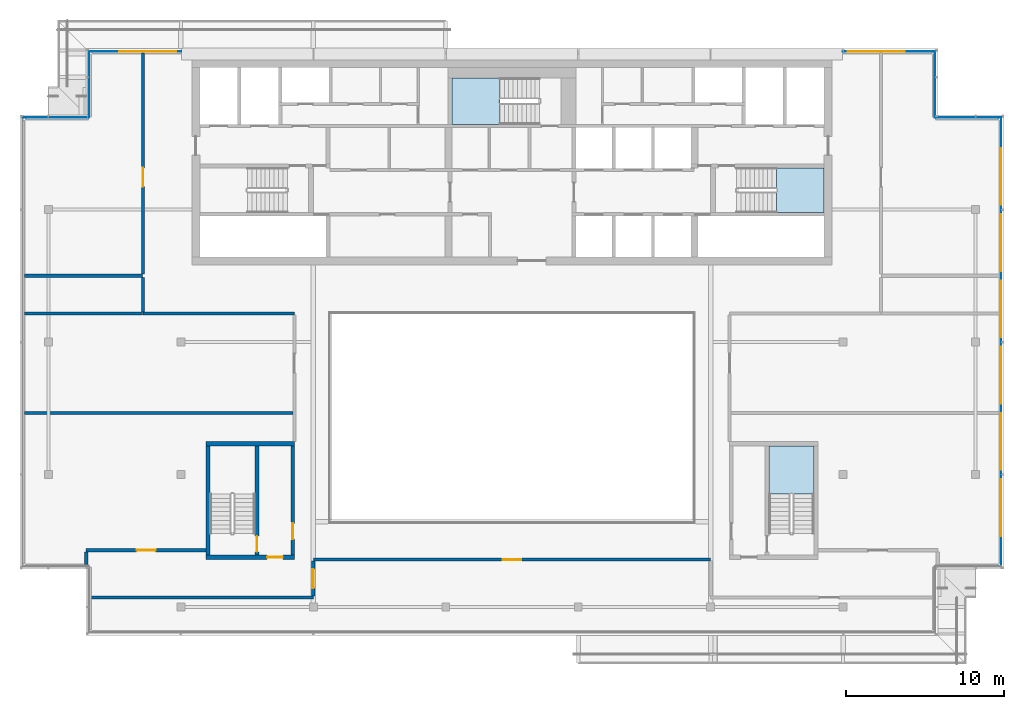
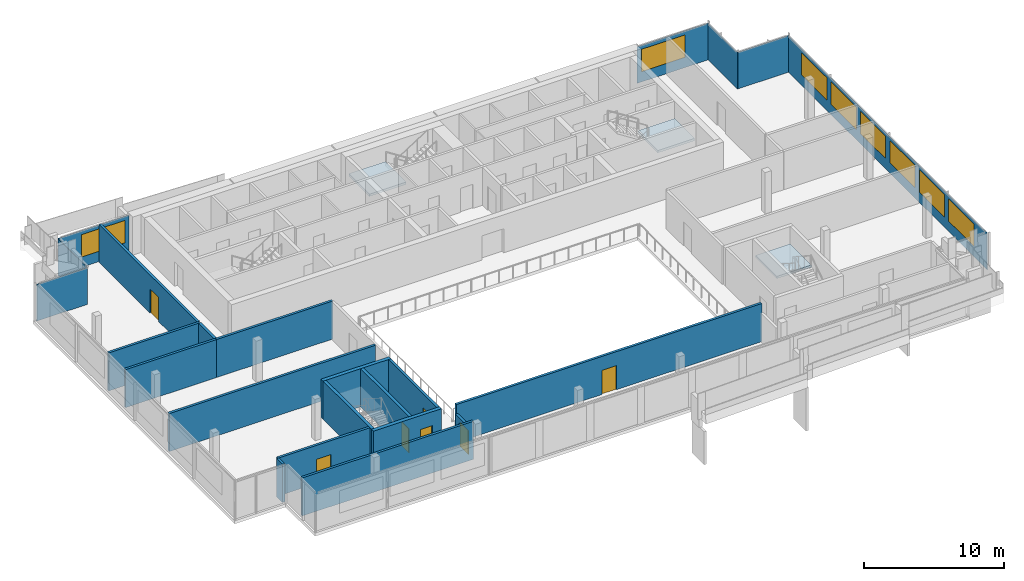
# One storey, part 11 of 21: 16 walls, 8 windows, 7 doors, 7 plates, 3 slabs, 15 openings, 9 elements without a shape of their own.
"""IFC4 building model written with IfcOpenShell, lengths in metres."""

from ifc_helpers import new_model, si_unit, direction, frame, frame_2d, origin, place, context, subcontext, project, spatial, polyline, rectangle, outline, extrude, material, layer, layer_set, type_object, element, fill, aggregate, save


model = new_model("IFC4")

# Units and contexts
model_context = context("Model", 3, precision=1e-05, world=origin(), true_north=direction((0.0, 1.0)))
body_context = subcontext(model_context, "Body", "Model", "MODEL_VIEW")
ifc_project = project(units=[si_unit("LENGTHUNIT", "METRE"), si_unit("AREAUNIT", "SQUARE_METRE"), si_unit("VOLUMEUNIT", "CUBIC_METRE"), si_unit("PLANEANGLEUNIT", "RADIAN"), si_unit("MASSUNIT", "GRAM", prefix="KILO")], contexts=[model_context])

# Site, building, storey
site_placement = place(None, origin())
site = spatial("IfcSite", under=ifc_project, at=site_placement, CompositionType="ELEMENT")
building_placement = place(site_placement, origin())
building = spatial("IfcBuilding", under=site, at=building_placement, Name="Saffron Gate Tower", CompositionType="ELEMENT")
storey_placement = place(building_placement, frame((0.0, 0.0, 299.550048828125)))
storey = spatial("IfcBuildingStorey", under=building, at=storey_placement, Name="L73", CompositionType="ELEMENT", Elevation=299.550048828125)

# Curtain wall, plate, openings, windows
ifc_material_1 = material(Name="Aluminium, bronze anodised", Category="aluminium")
curtain_wall_type_1 = type_object("IfcCurtainWallType", Name="CWS2 curtain wall side facades", PredefinedType="NOTDEFINED", material=ifc_material_1)
curtain_wall_1_placement = place(storey_placement, origin())
curtain_wall_1 = element("IfcCurtainWall", 1, at=curtain_wall_1_placement, inside=storey, type_object=curtain_wall_type_1, Name="CWS2 run 4", PredefinedType="NOTDEFINED")
ifc_material_2 = material(Name="Fritted bronze-tinted laminated glass", Category="glass")
ifc_layer_1 = layer(ifc_material_2, 0.028076171875)
ifc_layer_set_1 = layer_set([ifc_layer_1], Name="CWS2 fixed glass")
plate_type_1 = type_object("IfcPlateType", Name="CWS2 fixed glass", PredefinedType="CURTAIN_PANEL", material=ifc_layer_set_1)
plate_1_placement = place(storey_placement, frame((118.6259765625, 42.7880859375, 0.0), z_axis=(0.0, 0.0, 1.0), x_axis=(0.0, 1.0, 0.0)))
plate_1 = element("IfcPlate", 2, at=plate_1_placement, type_object=plate_type_1, Name="CWS2 glass panel", PredefinedType="CURTAIN_PANEL", context=body_context, shape_type="SweptSolid", body=[
    extrude(rectangle(XDim=28.423828125, YDim=0.028076171875, at=frame_2d((14.2119140625, 0.0))), origin(), (0.0, 0.0, 1.0), 3.199951171875),
])
opening_1_placement = place(plate_1_placement, frame((1.912109375, 0.0, 0.89990234375)))
opening_1 = element("IfcOpeningElement", 3, at=opening_1_placement, cuts=plate_1, Name="Opening W1", PredefinedType="OPENING", context=body_context, shape_type="SweptSolid", body=[
    extrude(rectangle(XDim=3.60009765625, YDim=1.949951171875, at=frame_2d((1.800048828125, 0.97509765625))), frame((0.0, 0.02392578125, 0.0), z_axis=(0.0, -1.0, 0.0), x_axis=(1.0, 0.0, 0.0)), (0.0, 0.0, 1.0), 0.048095703125),
])
opening_2_placement = place(plate_1_placement, frame((6.112060546875, 0.0, 0.89990234375)))
opening_2 = element("IfcOpeningElement", 4, at=opening_2_placement, cuts=plate_1, Name="Opening W1", PredefinedType="OPENING", context=body_context, shape_type="SweptSolid", body=[
    extrude(rectangle(XDim=3.60009765625, YDim=1.949951171875, at=frame_2d((1.800048828125, 0.97509765625))), frame((0.0, 0.02392578125, 0.0), z_axis=(0.0, -1.0, 0.0), x_axis=(1.0, 0.0, 0.0)), (0.0, 0.0, 1.0), 0.048095703125),
])
opening_3_placement = place(plate_1_placement, frame((10.31201171875, 0.0, 0.89990234375)))
opening_3 = element("IfcOpeningElement", 5, at=opening_3_placement, cuts=plate_1, Name="Opening W1", PredefinedType="OPENING", context=body_context, shape_type="SweptSolid", body=[
    extrude(rectangle(XDim=3.60009765625, YDim=1.949951171875, at=frame_2d((1.800048828125, 0.97509765625))), frame((0.0, 0.02392578125, 0.0), z_axis=(0.0, -1.0, 0.0), x_axis=(1.0, 0.0, 0.0)), (0.0, 0.0, 1.0), 0.048095703125),
])
opening_4_placement = place(plate_1_placement, frame((14.511962890625, 0.0, 0.89990234375)))
opening_4 = element("IfcOpeningElement", 6, at=opening_4_placement, cuts=plate_1, Name="Opening W1", PredefinedType="OPENING", context=body_context, shape_type="SweptSolid", body=[
    extrude(rectangle(XDim=3.60009765625, YDim=1.949951171875, at=frame_2d((1.800048828125, 0.97509765625))), frame((0.0, 0.02392578125, 0.0), z_axis=(0.0, -1.0, 0.0), x_axis=(1.0, 0.0, 0.0)), (0.0, 0.0, 1.0), 0.048095703125),
])
opening_5_placement = place(plate_1_placement, frame((18.7119140625, 0.0, 0.89990234375)))
opening_5 = element("IfcOpeningElement", 7, at=opening_5_placement, cuts=plate_1, Name="Opening W1", PredefinedType="OPENING", context=body_context, shape_type="SweptSolid", body=[
    extrude(rectangle(XDim=3.60009765625, YDim=1.949951171875, at=frame_2d((1.800048828125, 0.97509765625))), frame((0.0, 0.02392578125, 0.0), z_axis=(0.0, -1.0, 0.0), x_axis=(1.0, 0.0, 0.0)), (0.0, 0.0, 1.0), 0.048095703125),
])
opening_6_placement = place(plate_1_placement, frame((22.912109375, 0.0, 0.89990234375)))
opening_6 = element("IfcOpeningElement", 8, at=opening_6_placement, cuts=plate_1, Name="Opening W1", PredefinedType="OPENING", context=body_context, shape_type="SweptSolid", body=[
    extrude(rectangle(XDim=3.60009765625, YDim=1.949951171875, at=frame_2d((1.800048828125, 0.97509765625))), frame((0.0, 0.02392578125, 0.0), z_axis=(0.0, -1.0, 0.0), x_axis=(1.0, 0.0, 0.0)), (0.0, 0.0, 1.0), 0.048095703125),
])
ifc_material_3 = material(Name="Fritted bronze-tinted laminated glass in bronze frame", Category="glass")
ifc_layer_2 = layer(ifc_material_3, 0.06005859375)
ifc_layer_set_2 = layer_set([ifc_layer_2], Name="W1 operable panel 3600x1950")
window_type = type_object("IfcWindowType", Name="W1 operable panel 3600x1950", PartitioningType="DOUBLE_PANEL_HORIZONTAL", PredefinedType="WINDOW", material=ifc_layer_set_2)
window_1_placement = place(opening_1_placement, origin())
window_1 = element("IfcWindow", 9, at=window_1_placement, type_object=window_type, Name="W1 operable panel", OverallHeight=1.949951171875, OverallWidth=3.60009765625, PartitioningType="SINGLE_PANEL", PredefinedType="WINDOW", context=body_context, shape_type="SweptSolid", body=[
    extrude(rectangle(XDim=3.60009765625, YDim=1.949951171875, at=frame_2d((1.800048828125, 0.97509765625))), frame((0.0, 0.013671875, 0.0), z_axis=(0.0, -1.0, 0.0), x_axis=(1.0, 0.0, 0.0)), (0.0, 0.0, 1.0), 0.027587890625),
])
fill(opening_1, window_1)
window_2_placement = place(opening_2_placement, origin())
window_2 = element("IfcWindow", 10, at=window_2_placement, type_object=window_type, Name="W1 operable panel", OverallHeight=1.949951171875, OverallWidth=3.60009765625, PartitioningType="SINGLE_PANEL", PredefinedType="WINDOW", context=body_context, shape_type="SweptSolid", body=[
    extrude(rectangle(XDim=3.60009765625, YDim=1.949951171875, at=frame_2d((1.800048828125, 0.97509765625))), frame((0.0, 0.013671875, 0.0), z_axis=(0.0, -1.0, 0.0), x_axis=(1.0, 0.0, 0.0)), (0.0, 0.0, 1.0), 0.027587890625),
])
fill(opening_2, window_2)
window_3_placement = place(opening_3_placement, origin())
window_3 = element("IfcWindow", 11, at=window_3_placement, type_object=window_type, Name="W1 operable panel", OverallHeight=1.949951171875, OverallWidth=3.60009765625, PartitioningType="SINGLE_PANEL", PredefinedType="WINDOW", context=body_context, shape_type="SweptSolid", body=[
    extrude(rectangle(XDim=3.60009765625, YDim=1.949951171875, at=frame_2d((1.800048828125, 0.97509765625))), frame((0.0, 0.013671875, 0.0), z_axis=(0.0, -1.0, 0.0), x_axis=(1.0, 0.0, 0.0)), (0.0, 0.0, 1.0), 0.027587890625),
])
fill(opening_3, window_3)
window_4_placement = place(opening_4_placement, origin())
window_4 = element("IfcWindow", 12, at=window_4_placement, type_object=window_type, Name="W1 operable panel", OverallHeight=1.949951171875, OverallWidth=3.60009765625, PartitioningType="SINGLE_PANEL", PredefinedType="WINDOW", context=body_context, shape_type="SweptSolid", body=[
    extrude(rectangle(XDim=3.60009765625, YDim=1.949951171875, at=frame_2d((1.800048828125, 0.97509765625))), frame((0.0, 0.013671875, 0.0), z_axis=(0.0, -1.0, 0.0), x_axis=(1.0, 0.0, 0.0)), (0.0, 0.0, 1.0), 0.027587890625),
])
fill(opening_4, window_4)
window_5_placement = place(opening_5_placement, origin())
window_5 = element("IfcWindow", 13, at=window_5_placement, type_object=window_type, Name="W1 operable panel", OverallHeight=1.949951171875, OverallWidth=3.60009765625, PartitioningType="SINGLE_PANEL", PredefinedType="WINDOW", context=body_context, shape_type="SweptSolid", body=[
    extrude(rectangle(XDim=3.60009765625, YDim=1.949951171875, at=frame_2d((1.800048828125, 0.97509765625))), frame((0.0, 0.013671875, 0.0), z_axis=(0.0, -1.0, 0.0), x_axis=(1.0, 0.0, 0.0)), (0.0, 0.0, 1.0), 0.027587890625),
])
fill(opening_5, window_5)
window_6_placement = place(opening_6_placement, origin())
window_6 = element("IfcWindow", 14, at=window_6_placement, type_object=window_type, Name="W1 operable panel", OverallHeight=1.949951171875, OverallWidth=3.60009765625, PartitioningType="SINGLE_PANEL", PredefinedType="WINDOW", context=body_context, shape_type="SweptSolid", body=[
    extrude(rectangle(XDim=3.60009765625, YDim=1.949951171875, at=frame_2d((1.800048828125, 0.97509765625))), frame((0.0, 0.013671875, 0.0), z_axis=(0.0, -1.0, 0.0), x_axis=(1.0, 0.0, 0.0)), (0.0, 0.0, 1.0), 0.027587890625),
])
fill(opening_6, window_6)
aggregate(curtain_wall_1, [plate_1, window_1, window_2, window_3, window_4, window_5, window_6])

# Curtain wall, plates, openings, windows
curtain_wall_type_2 = type_object("IfcCurtainWallType", Name="CWS3 curtain wall rear facade", PredefinedType="NOTDEFINED", material=ifc_material_1)
curtain_wall_2_placement = place(storey_placement, origin())
curtain_wall_2 = element("IfcCurtainWall", 15, at=curtain_wall_2_placement, inside=storey, type_object=curtain_wall_type_2, Name="CWS3 run 7", PredefinedType="NOTDEFINED")
ifc_material_4 = material(Name="Fritted grey-tinted laminated glass", Category="glass")
ifc_layer_3 = layer(ifc_material_4, 0.028076171875)
ifc_layer_set_3 = layer_set([ifc_layer_3], Name="CWS3 fixed glass")
plate_type_2 = type_object("IfcPlateType", Name="CWS3 fixed glass", PredefinedType="CURTAIN_PANEL", material=ifc_layer_set_3)
plate_2_placement = place(storey_placement, frame((114.412109375, 75.426025390625, 0.0), z_axis=(0.0, 0.0, 1.0), x_axis=(-1.0, 0.0, 0.0)))
plate_2 = element("IfcPlate", 16, at=plate_2_placement, type_object=plate_type_2, Name="CWS3 glass panel", PredefinedType="CURTAIN_PANEL", context=body_context, shape_type="SweptSolid", body=[
    extrude(rectangle(XDim=5.84716796875, YDim=0.028076171875, at=frame_2d((2.923583984375, 0.0))), origin(), (0.0, 0.0, 1.0), 3.199951171875),
])
opening_7_placement = place(plate_2_placement, frame((1.912109375, 0.0, 0.89990234375)))
opening_7 = element("IfcOpeningElement", 17, at=opening_7_placement, cuts=plate_2, Name="Opening W1", PredefinedType="OPENING", context=body_context, shape_type="SweptSolid", body=[
    extrude(rectangle(XDim=3.60009765625, YDim=1.949951171875, at=frame_2d((1.800048828125, 0.97509765625))), frame((0.0, 0.02392578125, 0.0), z_axis=(0.0, -1.0, 0.0), x_axis=(1.0, 0.0, 0.0)), (0.0, 0.0, 1.0), 0.048095703125),
])
window_7_placement = place(opening_7_placement, origin())
window_7 = element("IfcWindow", 18, at=window_7_placement, type_object=window_type, Name="W1 operable panel", OverallHeight=1.949951171875, OverallWidth=3.60009765625, PartitioningType="SINGLE_PANEL", PredefinedType="WINDOW", context=body_context, shape_type="SweptSolid", body=[
    extrude(rectangle(XDim=3.60009765625, YDim=1.949951171875, at=frame_2d((1.800048828125, 0.97509765625))), frame((0.0, 0.013671875, 0.0), z_axis=(0.0, -1.0, 0.0), x_axis=(1.0, 0.0, 0.0)), (0.0, 0.0, 1.0), 0.027587890625),
])
fill(opening_7, window_7)
plate_3_placement = place(storey_placement, frame((66.635009765625, 75.426025390625, 0.0), z_axis=(0.0, 0.0, 1.0), x_axis=(-1.0, 0.0, 0.0)))
plate_3 = element("IfcPlate", 19, at=plate_3_placement, type_object=plate_type_2, Name="CWS3 glass panel", PredefinedType="CURTAIN_PANEL", context=body_context, shape_type="SweptSolid", body=[
    extrude(rectangle(XDim=5.846923828125, YDim=0.028076171875, at=frame_2d((2.92333984375, 0.0))), origin(), (0.0, 0.0, 1.0), 3.199951171875),
])
opening_8_placement = place(plate_3_placement, frame((0.3349609375, 0.0, 0.89990234375)))
opening_8 = element("IfcOpeningElement", 20, at=opening_8_placement, cuts=plate_3, Name="Opening W1", PredefinedType="OPENING", context=body_context, shape_type="SweptSolid", body=[
    extrude(rectangle(XDim=3.60009765625, YDim=1.949951171875, at=frame_2d((1.800048828125, 0.97509765625))), frame((0.0, 0.02392578125, 0.0), z_axis=(0.0, -1.0, 0.0), x_axis=(1.0, 0.0, 0.0)), (0.0, 0.0, 1.0), 0.048095703125),
])
window_8_placement = place(opening_8_placement, origin())
window_8 = element("IfcWindow", 21, at=window_8_placement, type_object=window_type, Name="W1 operable panel", OverallHeight=1.949951171875, OverallWidth=3.60009765625, PartitioningType="SINGLE_PANEL", PredefinedType="WINDOW", context=body_context, shape_type="SweptSolid", body=[
    extrude(rectangle(XDim=3.60009765625, YDim=1.949951171875, at=frame_2d((1.800048828125, 0.97509765625))), frame((0.0, 0.013671875, 0.0), z_axis=(0.0, -1.0, 0.0), x_axis=(1.0, 0.0, 0.0)), (0.0, 0.0, 1.0), 0.027587890625),
])
fill(opening_8, window_8)
aggregate(curtain_wall_2, [plate_2, plate_3, window_7, window_8])

# Curtain wall, plate
curtain_wall_type_3 = type_object("IfcCurtainWallType", Name="CWS4 curtain wall corner returns", PredefinedType="NOTDEFINED", material=ifc_material_1)
curtain_wall_3_placement = place(storey_placement, origin())
curtain_wall_3 = element("IfcCurtainWall", 22, at=curtain_wall_3_placement, inside=storey, type_object=curtain_wall_type_3, Name="CWS4 run 5", PredefinedType="NOTDEFINED")
ifc_layer_4 = layer(ifc_material_2, 0.028076171875)
ifc_layer_set_4 = layer_set([ifc_layer_4], Name="CWS4 fixed glass")
plate_type_3 = type_object("IfcPlateType", Name="CWS4 fixed glass", PredefinedType="CURTAIN_PANEL", material=ifc_layer_set_4)
plate_4_placement = place(storey_placement, frame((118.612060546875, 71.22607421875, 0.0), z_axis=(0.0, 0.0, 1.0), x_axis=(-1.0, 0.0, 0.0)))
plate_4 = element("IfcPlate", 23, at=plate_4_placement, type_object=plate_type_3, Name="CWS4 glass panel", PredefinedType="CURTAIN_PANEL", context=body_context, shape_type="SweptSolid", body=[
    extrude(rectangle(XDim=4.172119140625, YDim=0.028076171875, at=frame_2d((2.0859375, 0.0))), origin(), (0.0, 0.0, 1.0), 3.199951171875),
])
aggregate(curtain_wall_3, [plate_4])

curtain_wall_4_placement = place(storey_placement, origin())
curtain_wall_4 = element("IfcCurtainWall", 24, at=curtain_wall_4_placement, inside=storey, type_object=curtain_wall_type_3, Name="CWS4 run 6", PredefinedType="NOTDEFINED")
plate_5_placement = place(storey_placement, frame((114.426025390625, 71.239990234375, 0.0), z_axis=(0.0, 0.0, 1.0), x_axis=(0.0, 1.0, 0.0)))
plate_5 = element("IfcPlate", 25, at=plate_5_placement, type_object=plate_type_3, Name="CWS4 glass panel", PredefinedType="CURTAIN_PANEL", context=body_context, shape_type="SweptSolid", body=[
    extrude(rectangle(XDim=4.172119140625, YDim=0.028076171875, at=frame_2d((2.0859375, 0.0))), origin(), (0.0, 0.0, 1.0), 3.199951171875),
])
aggregate(curtain_wall_4, [plate_5])

curtain_wall_5_placement = place(storey_placement, origin())
curtain_wall_5 = element("IfcCurtainWall", 26, at=curtain_wall_5_placement, inside=storey, type_object=curtain_wall_type_3, Name="CWS4 run 8", PredefinedType="NOTDEFINED")
plate_6_placement = place(storey_placement, frame((60.77392578125, 75.412109375, 0.0), z_axis=(0.0, 0.0, 1.0), x_axis=(0.0, -1.0, 0.0)))
plate_6 = element("IfcPlate", 27, at=plate_6_placement, type_object=plate_type_3, Name="CWS4 glass panel", PredefinedType="CURTAIN_PANEL", context=body_context, shape_type="SweptSolid", body=[
    extrude(rectangle(XDim=4.172119140625, YDim=0.028076171875, at=frame_2d((2.0859375, 0.0))), origin(), (0.0, 0.0, 1.0), 3.199951171875),
])
aggregate(curtain_wall_5, [plate_6])

curtain_wall_6_placement = place(storey_placement, origin())
curtain_wall_6 = element("IfcCurtainWall", 28, at=curtain_wall_6_placement, inside=storey, type_object=curtain_wall_type_3, Name="CWS4 run 9", PredefinedType="NOTDEFINED")
plate_7_placement = place(storey_placement, frame((60.760009765625, 71.22607421875, 0.0), z_axis=(0.0, 0.0, 1.0), x_axis=(-1.0, 0.0, 0.0)))
plate_7 = element("IfcPlate", 29, at=plate_7_placement, type_object=plate_type_3, Name="CWS4 glass panel", PredefinedType="CURTAIN_PANEL", context=body_context, shape_type="SweptSolid", body=[
    extrude(rectangle(XDim=4.172119140625, YDim=0.028076171875, at=frame_2d((2.0859375, 0.0))), origin(), (0.0, 0.0, 1.0), 3.199951171875),
])
aggregate(curtain_wall_6, [plate_7])

# Stair, slab
ifc_material_5 = material(Name="Concrete C40", Category="concrete")
stair_type = type_object("IfcStairType", Name="ST7 Stair 1350 wide, 20 risers of 180", PredefinedType="HALF_TURN_STAIR", material=ifc_material_5)
stair_1_placement = place(storey_placement, origin())
stair_1 = element("IfcStair", 30, at=stair_1_placement, inside=storey, type_object=stair_type, Name="L73 Exit stair B", PredefinedType="HALF_TURN_STAIR")
ifc_layer_5 = layer(ifc_material_5, 0.199951171875)
ifc_layer_set_5 = layer_set([ifc_layer_5], Name="SL1 Stair landing 200")
slab_type = type_object("IfcSlabType", Name="SL1 Stair landing 200", PredefinedType="LANDING", material=ifc_layer_set_5)
slab_1_placement = place(storey_placement, frame((0.0, 0.0, 1.599853515625)))
slab_1 = element("IfcSlab", 31, at=slab_1_placement, type_object=slab_type, Name="ST-B landing 1", PredefinedType="LANDING", context=body_context, shape_type="SweptSolid", body=[
    extrude(outline(polyline([(104.3701171875, 65.199951171875), (107.39990234375, 65.199951171875), (107.39990234375, 68.050048828125), (104.3701171875, 68.050048828125), (104.3701171875, 65.199951171875)])), origin(), (0.0, 0.0, 1.0), 0.2001953125),
])
aggregate(stair_1, [slab_1])

stair_2_placement = place(storey_placement, origin())
stair_2 = element("IfcStair", 32, at=stair_2_placement, inside=storey, type_object=stair_type, Name="L73 Exit stair C", PredefinedType="HALF_TURN_STAIR")
slab_2_placement = place(storey_placement, frame((0.0, 0.0, 1.599853515625)))
slab_2 = element("IfcSlab", 33, at=slab_2_placement, type_object=slab_type, Name="ST-C landing 1", PredefinedType="LANDING", context=body_context, shape_type="SweptSolid", body=[
    extrude(outline(polyline([(86.830078125, 73.75), (83.800048828125, 73.75), (83.800048828125, 70.800048828125), (86.830078125, 70.800048828125), (86.830078125, 73.75)])), origin(), (0.0, 0.0, 1.0), 0.2001953125),
])
aggregate(stair_2, [slab_2])

stair_3_placement = place(storey_placement, origin())
stair_3 = element("IfcStair", 34, at=stair_3_placement, inside=storey, type_object=stair_type, Name="L73 Exit stair E", PredefinedType="HALF_TURN_STAIR")
slab_3_placement = place(storey_placement, frame((0.0, 0.0, 1.599853515625)))
slab_3 = element("IfcSlab", 35, at=slab_3_placement, type_object=slab_type, Name="ST-E landing 1", PredefinedType="LANDING", context=body_context, shape_type="SweptSolid", body=[
    extrude(outline(polyline([(106.75, 47.3701171875), (106.75, 50.39990234375), (103.89990234375, 50.39990234375), (103.89990234375, 47.3701171875), (106.75, 47.3701171875)])), origin(), (0.0, 0.0, 1.0), 0.2001953125),
])
aggregate(stair_3, [slab_3])

# Wall, opening, door
ifc_material_6 = material(Name="Gypsum board partition on steel studs", Category="steel")
ifc_layer_6 = layer(ifc_material_6, 0.199951171875)
ifc_layer_set_6 = layer_set([ifc_layer_6], Name="CW10 Core partition 200")
wall_type_1 = type_object("IfcWallType", Name="CW10 Core partition 200", PredefinedType="PARTITIONING", material=ifc_layer_set_6)
wall_1_placement = place(storey_placement, frame((73.699951171875, 43.5, 0.0), z_axis=(0.0, 0.0, 1.0), x_axis=(0.0, 1.0, 0.0)))
wall_1 = element("IfcWall", 36, at=wall_1_placement, inside=storey, type_object=wall_type_1, Name="Wall CW10-L73-D-4", PredefinedType="PARTITIONING", context=body_context, shape_type="SweptSolid", body=[
    extrude(rectangle(XDim=6.89990234375, YDim=0.199951171875, at=frame_2d((3.449951171875, 0.0))), origin(), (0.0, 0.0, 1.0), 3.320068359375),
])
opening_9_placement = place(wall_1_placement, frame((1.0, 0.0, 0.0)))
opening_9 = element("IfcOpeningElement", 37, at=opening_9_placement, cuts=wall_1, Name="Opening CR-19", PredefinedType="OPENING", context=body_context, shape_type="SweptSolid", body=[
    extrude(rectangle(XDim=1.0, YDim=2.10009765625, at=frame_2d((0.5, 1.050048828125))), frame((0.0, 0.10986328125, 0.0), z_axis=(0.0, -1.0, 0.0), x_axis=(1.0, 0.0, 0.0)), (0.0, 0.0, 1.0), 0.219970703125),
])
ifc_material_7 = material(Name="Steel fire door set", Category="steel")
door_type_1 = type_object("IfcDoorType", Name="CD4 Lobby door 1000x2100 EI 120", OperationType="NOTDEFINED", PredefinedType="DOOR", material=ifc_material_7)
door_1_placement = place(opening_9_placement, origin())
door_1 = element("IfcDoor", 38, at=door_1_placement, inside=storey, type_object=door_type_1, Name="DOOR CR-19", OperationType="SINGLE_SWING_RIGHT", OverallHeight=2.10009765625, OverallWidth=1.0, PredefinedType="DOOR", context=body_context, shape_type="SweptSolid", body=[
    extrude(rectangle(XDim=1.0, YDim=2.10009765625, at=frame_2d((0.5, 1.050048828125))), frame((0.0, 0.02490234375, 0.0), z_axis=(0.0, -1.0, 0.0), x_axis=(1.0, 0.0, 0.0)), (0.0, 0.0, 1.0), 0.050048828125),
])
fill(opening_9, door_1)

# Wall
ifc_material_8 = material(Name="Concrete C50", Category="concrete")
ifc_layer_7 = layer(ifc_material_8, 0.25)
ifc_layer_set_7 = layer_set([ifc_layer_7], Name="CW23 RC core wall 250 C50")
wall_type_2 = type_object("IfcWallType", Name="CW23 RC core wall 250 C50", PredefinedType="SOLIDWALL", material=ifc_layer_set_7)
wall_2_placement = place(storey_placement, frame((68.324951171875, 43.5, 0.0), z_axis=(0.0, 0.0, 1.0), x_axis=(0.0, 1.0, 0.0)))
element("IfcWall", 39, at=wall_2_placement, inside=storey, type_object=wall_type_2, Name="Wall CW23-L73-D-2", PredefinedType="SOLIDWALL", context=body_context, shape_type="SweptSolid", body=[
    extrude(rectangle(XDim=6.89990234375, YDim=0.25, at=frame_2d((3.449951171875, 0.0))), origin(), (0.0, 0.0, 1.0), 3.320068359375),
])

# Wall, opening, door
wall_3_placement = place(storey_placement, frame((71.425048828125, 43.5, 0.0), z_axis=(0.0, 0.0, 1.0), x_axis=(0.0, 1.0, 0.0)))
wall_3 = element("IfcWall", 40, at=wall_3_placement, inside=storey, type_object=wall_type_2, Name="Wall CW23-L73-D-3", PredefinedType="SOLIDWALL", context=body_context, shape_type="SweptSolid", body=[
    extrude(rectangle(XDim=6.89990234375, YDim=0.25, at=frame_2d((3.449951171875, 0.0))), origin(), (0.0, 0.0, 1.0), 3.320068359375),
])
opening_10_placement = place(wall_3_placement, frame((0.199951171875, 0.0, 0.0)))
opening_10 = element("IfcOpeningElement", 41, at=opening_10_placement, cuts=wall_3, Name="Opening CR-20", PredefinedType="OPENING", context=body_context, shape_type="SweptSolid", body=[
    extrude(rectangle(XDim=1.0, YDim=2.10009765625, at=frame_2d((0.5, 1.050048828125))), frame((0.0, 0.135009765625, 0.0), z_axis=(0.0, -1.0, 0.0), x_axis=(1.0, 0.0, 0.0)), (0.0, 0.0, 1.0), 0.27001953125),
])
door_type_2 = type_object("IfcDoorType", Name="CD5 Stair door 1000x2100 EI 120", OperationType="NOTDEFINED", PredefinedType="DOOR", material=ifc_material_7)
door_2_placement = place(opening_10_placement, origin())
door_2 = element("IfcDoor", 42, at=door_2_placement, inside=storey, type_object=door_type_2, Name="DOOR CR-20", OperationType="SINGLE_SWING_LEFT", OverallHeight=2.10009765625, OverallWidth=1.0, PredefinedType="DOOR", context=body_context, shape_type="SweptSolid", body=[
    extrude(rectangle(XDim=1.0, YDim=2.10009765625, at=frame_2d((0.5, 1.050048828125))), frame((0.0, 0.02490234375, 0.0), z_axis=(0.0, -1.0, 0.0), x_axis=(1.0, 0.0, 0.0)), (0.0, 0.0, 1.0), 0.050048828125),
])
fill(opening_10, door_2)

ifc_layer_8 = layer(ifc_material_8, 0.300048828125)
ifc_layer_set_8 = layer_set([ifc_layer_8], Name="CW26 RC core wall 300 C50")
wall_type_3 = type_object("IfcWallType", Name="CW26 RC core wall 300 C50", PredefinedType="SOLIDWALL", material=ifc_layer_set_8)
wall_4_placement = place(storey_placement, frame((68.199951171875, 43.35009765625, 0.0), z_axis=(0.0, 0.0, 1.0), x_axis=(1.0, 0.0, 0.0)))
wall_4 = element("IfcWall", 43, at=wall_4_placement, inside=storey, type_object=wall_type_3, Name="Wall CW26-L73-D-1", PredefinedType="SOLIDWALL", context=body_context, shape_type="SweptSolid", body=[
    extrude(rectangle(XDim=5.60009765625, YDim=0.300048828125, at=frame_2d((2.800048828125, 0.0))), origin(), (0.0, 0.0, 1.0), 3.320068359375),
])
opening_11_placement = place(wall_4_placement, frame((3.875, 0.0, 0.0)))
opening_11 = element("IfcOpeningElement", 44, at=opening_11_placement, cuts=wall_4, Name="Opening CR-18", PredefinedType="OPENING", context=body_context, shape_type="SweptSolid", body=[
    extrude(rectangle(XDim=1.0, YDim=2.10009765625, at=frame_2d((0.5, 1.050048828125))), frame((0.0, 0.16015625, 0.0), z_axis=(0.0, -1.0, 0.0), x_axis=(1.0, 0.0, 0.0)), (0.0, 0.0, 1.0), 0.320068359375),
])
door_3_placement = place(opening_11_placement, origin())
door_3 = element("IfcDoor", 45, at=door_3_placement, inside=storey, type_object=door_type_1, Name="DOOR CR-18", OperationType="SINGLE_SWING_RIGHT", OverallHeight=2.10009765625, OverallWidth=1.0, PredefinedType="DOOR", context=body_context, shape_type="SweptSolid", body=[
    extrude(rectangle(XDim=1.0, YDim=2.10009765625, at=frame_2d((0.5, 1.050048828125))), frame((0.0, 0.02490234375, 0.0), z_axis=(0.0, -1.0, 0.0), x_axis=(1.0, 0.0, 0.0)), (0.0, 0.0, 1.0), 0.050048828125),
])
fill(opening_11, door_3)

# Walls
wall_5_placement = place(storey_placement, frame((68.199951171875, 50.550048828125, 0.0), z_axis=(0.0, 0.0, 1.0), x_axis=(1.0, 0.0, 0.0)))
element("IfcWall", 46, at=wall_5_placement, inside=storey, type_object=wall_type_3, Name="Wall CW26-L73-D-5", PredefinedType="SOLIDWALL", context=body_context, shape_type="SweptSolid", body=[
    extrude(rectangle(XDim=5.60009765625, YDim=0.300048828125, at=frame_2d((2.800048828125, 0.0))), origin(), (0.0, 0.0, 1.0), 3.320068359375),
])
ifc_material_9 = material(Name="Clay brick masonry, rendered", Category="masonry")
ifc_layer_9 = layer(ifc_material_9, 0.199951171875)
ifc_layer_set_9 = layer_set([ifc_layer_9], Name="PW3 Corridor wall 200")
wall_type_4 = type_object("IfcWallType", Name="PW3 Corridor wall 200", PredefinedType="PARTITIONING", material=ifc_layer_set_9)
wall_6_placement = place(storey_placement, frame((60.8798828125, 40.800048828125, 0.0), z_axis=(0.0, 0.0, 1.0), x_axis=(1.0, 0.0, 0.0)))
element("IfcWall", 47, at=wall_6_placement, inside=storey, type_object=wall_type_4, Name="Wall E6-1", PredefinedType="PARTITIONING", context=body_context, shape_type="SweptSolid", body=[
    extrude(rectangle(XDim=14.1201171875, YDim=0.199951171875, at=frame_2d((7.06005859375, 0.0))), origin(), (0.0, 0.0, 1.0), 3.320068359375),
])

# Wall, opening, door
wall_7_placement = place(storey_placement, frame((100.199951171875, 43.199951171875, 0.0), z_axis=(0.0, 0.0, 1.0), x_axis=(-1.0, 0.0, 0.0)))
wall_7 = element("IfcWall", 48, at=wall_7_placement, inside=storey, type_object=wall_type_4, Name="Wall E6-3", PredefinedType="PARTITIONING", context=body_context, shape_type="SweptSolid", body=[
    extrude(rectangle(XDim=25.199951171875, YDim=0.199951171875, at=frame_2d((12.60009765625, 0.0))), origin(), (0.0, 0.0, 1.0), 3.320068359375),
])
opening_12_placement = place(wall_7_placement, frame((12.0, 0.0, 0.0)))
opening_12 = element("IfcOpeningElement", 49, at=opening_12_placement, cuts=wall_7, Name="Opening E6-4", PredefinedType="OPENING", context=body_context, shape_type="SweptSolid", body=[
    extrude(rectangle(XDim=1.199951171875, YDim=2.10009765625, at=frame_2d((0.60009765625, 1.050048828125))), frame((0.0, 0.10986328125, 0.0), z_axis=(0.0, -1.0, 0.0), x_axis=(1.0, 0.0, 0.0)), (0.0, 0.0, 1.0), 0.219970703125),
])
ifc_material_10 = material(Name="Timber door set", Category="wood")
door_type_3 = type_object("IfcDoorType", Name="HD1 Hall door 1200x2100", OperationType="NOTDEFINED", PredefinedType="DOOR", material=ifc_material_10)
door_4_placement = place(opening_12_placement, origin())
door_4 = element("IfcDoor", 50, at=door_4_placement, inside=storey, type_object=door_type_3, Name="Door E6-4", OperationType="SINGLE_SWING_RIGHT", OverallHeight=2.10009765625, OverallWidth=1.199951171875, PredefinedType="DOOR", context=body_context, shape_type="SweptSolid", body=[
    extrude(rectangle(XDim=1.199951171875, YDim=2.10009765625, at=frame_2d((0.60009765625, 1.050048828125))), frame((0.0, 0.02490234375, 0.0), z_axis=(0.0, -1.0, 0.0), x_axis=(1.0, 0.0, 0.0)), (0.0, 0.0, 1.0), 0.050048828125),
])
fill(opening_12, door_4)

wall_8_placement = place(storey_placement, frame((60.60009765625, 43.800048828125, 0.0), z_axis=(0.0, 0.0, 1.0), x_axis=(1.0, 0.0, 0.0)))
wall_8 = element("IfcWall", 51, at=wall_8_placement, inside=storey, type_object=wall_type_4, Name="Wall E6-4", PredefinedType="PARTITIONING", context=body_context, shape_type="SweptSolid", body=[
    extrude(rectangle(XDim=7.599853515625, YDim=0.199951171875, at=frame_2d((3.7998046875, 0.0))), origin(), (0.0, 0.0, 1.0), 3.320068359375),
])
opening_13_placement = place(wall_8_placement, frame((3.199951171875, 0.0, 0.0)))
opening_13 = element("IfcOpeningElement", 52, at=opening_13_placement, cuts=wall_8, Name="Opening E6-7", PredefinedType="OPENING", context=body_context, shape_type="SweptSolid", body=[
    extrude(rectangle(XDim=1.199951171875, YDim=2.10009765625, at=frame_2d((0.60009765625, 1.050048828125))), frame((0.0, 0.10986328125, 0.0), z_axis=(0.0, -1.0, 0.0), x_axis=(1.0, 0.0, 0.0)), (0.0, 0.0, 1.0), 0.219970703125),
])
door_5_placement = place(opening_13_placement, origin())
door_5 = element("IfcDoor", 53, at=door_5_placement, inside=storey, type_object=door_type_3, Name="Door E6-7", OperationType="SINGLE_SWING_LEFT", OverallHeight=2.10009765625, OverallWidth=1.199951171875, PredefinedType="DOOR", context=body_context, shape_type="SweptSolid", body=[
    extrude(rectangle(XDim=1.199951171875, YDim=2.10009765625, at=frame_2d((0.60009765625, 1.050048828125))), frame((0.0, 0.02490234375, 0.0), z_axis=(0.0, -1.0, 0.0), x_axis=(1.0, 0.0, 0.0)), (0.0, 0.0, 1.0), 0.050048828125),
])
fill(opening_13, door_5)

# Walls
wall_9_placement = place(storey_placement, frame((64.199951171875, 58.800048828125, 0.0), z_axis=(0.0, 0.0, 1.0), x_axis=(1.0, 0.0, 0.0)))
element("IfcWall", 54, at=wall_9_placement, inside=storey, type_object=wall_type_4, Name="Wall E6-8", PredefinedType="PARTITIONING", context=body_context, shape_type="SweptSolid", body=[
    extrude(rectangle(XDim=9.60009765625, YDim=0.199951171875, at=frame_2d((4.800048828125, 0.0))), origin(), (0.0, 0.0, 1.0), 3.320068359375),
])
wall_10_placement = place(storey_placement, frame((60.60009765625, 43.699951171875, 0.0), z_axis=(0.0, 0.0, 1.0), x_axis=(0.0, -1.0, 0.0)))
element("IfcWall", 55, at=wall_10_placement, inside=storey, type_object=wall_type_4, Name="Wall E6-14", PredefinedType="PARTITIONING", context=body_context, shape_type="SweptSolid", body=[
    extrude(rectangle(XDim=0.820068359375, YDim=0.199951171875, at=frame_2d((0.41015625, 0.0))), origin(), (0.0, 0.0, 1.0), 3.320068359375),
])

# Wall, opening, door
wall_11_placement = place(storey_placement, frame((64.199951171875, 61.300048828125, 0.0), z_axis=(0.0, 0.0, 1.0), x_axis=(0.0, 1.0, 0.0)))
wall_11 = element("IfcWall", 56, at=wall_11_placement, inside=storey, type_object=wall_type_4, Name="Wall E6-15", PredefinedType="PARTITIONING", context=body_context, shape_type="SweptSolid", body=[
    extrude(rectangle(XDim=14.02001953125, YDim=0.199951171875, at=frame_2d((7.010009765625, 0.0))), origin(), (0.0, 0.0, 1.0), 3.320068359375),
])
opening_14_placement = place(wall_11_placement, frame((5.5498046875, 0.0, 0.0)))
opening_14 = element("IfcOpeningElement", 57, at=opening_14_placement, cuts=wall_11, Name="Opening E6-9", PredefinedType="OPENING", context=body_context, shape_type="SweptSolid", body=[
    extrude(rectangle(XDim=1.199951171875, YDim=2.10009765625, at=frame_2d((0.60009765625, 1.050048828125))), frame((0.0, 0.10986328125, 0.0), z_axis=(0.0, -1.0, 0.0), x_axis=(1.0, 0.0, 0.0)), (0.0, 0.0, 1.0), 0.219970703125),
])
door_6_placement = place(opening_14_placement, origin())
door_6 = element("IfcDoor", 58, at=door_6_placement, inside=storey, type_object=door_type_3, Name="Door E6-9", OperationType="SINGLE_SWING_LEFT", OverallHeight=2.10009765625, OverallWidth=1.199951171875, PredefinedType="DOOR", context=body_context, shape_type="SweptSolid", body=[
    extrude(rectangle(XDim=1.199951171875, YDim=2.10009765625, at=frame_2d((0.60009765625, 1.050048828125))), frame((0.0, 0.02490234375, 0.0), z_axis=(0.0, -1.0, 0.0), x_axis=(1.0, 0.0, 0.0)), (0.0, 0.0, 1.0), 0.050048828125),
])
fill(opening_14, door_6)

wall_12_placement = place(storey_placement, frame((75.0, 43.10009765625, 0.0), z_axis=(0.0, 0.0, 1.0), x_axis=(0.0, -1.0, 0.0)))
wall_12 = element("IfcWall", 59, at=wall_12_placement, inside=storey, type_object=wall_type_4, Name="Wall E6-18", PredefinedType="PARTITIONING", context=body_context, shape_type="SweptSolid", body=[
    extrude(rectangle(XDim=2.2001953125, YDim=0.199951171875, at=frame_2d((1.10009765625, 0.0))), origin(), (0.0, 0.0, 1.0), 2.530029296875),
])
opening_15_placement = place(wall_12_placement, frame((0.5, 0.0, 0.0)))
opening_15 = element("IfcOpeningElement", 60, at=opening_15_placement, cuts=wall_12, Name="Opening E6-8", PredefinedType="OPENING", context=body_context, shape_type="SweptSolid", body=[
    extrude(rectangle(XDim=1.199951171875, YDim=2.10009765625, at=frame_2d((0.60009765625, 1.050048828125))), frame((0.0, 0.10986328125, 0.0), z_axis=(0.0, -1.0, 0.0), x_axis=(1.0, 0.0, 0.0)), (0.0, 0.0, 1.0), 0.219970703125),
])
door_7_placement = place(opening_15_placement, origin())
door_7 = element("IfcDoor", 61, at=door_7_placement, inside=storey, type_object=door_type_3, Name="Door E6-8", OperationType="SINGLE_SWING_RIGHT", OverallHeight=2.10009765625, OverallWidth=1.199951171875, PredefinedType="DOOR", context=body_context, shape_type="SweptSolid", body=[
    extrude(rectangle(XDim=1.199951171875, YDim=2.10009765625, at=frame_2d((0.60009765625, 1.050048828125))), frame((0.0, 0.02490234375, 0.0), z_axis=(0.0, -1.0, 0.0), x_axis=(1.0, 0.0, 0.0)), (0.0, 0.0, 1.0), 0.050048828125),
])
fill(opening_15, door_7)

# Walls
ifc_layer_10 = layer(ifc_material_9, 0.199951171875)
ifc_layer_set_10 = layer_set([ifc_layer_10], Name="PW5 Room wall 200")
wall_type_5 = type_object("IfcWallType", Name="PW5 Room wall 200", PredefinedType="PARTITIONING", material=ifc_layer_set_10)
wall_13_placement = place(storey_placement, frame((56.679931640625, 52.5, 0.0), z_axis=(0.0, 0.0, 1.0), x_axis=(1.0, 0.0, 0.0)))
element("IfcWall", 62, at=wall_13_placement, inside=storey, type_object=wall_type_5, Name="Wall E6-6", PredefinedType="PARTITIONING", context=body_context, shape_type="SweptSolid", body=[
    extrude(rectangle(XDim=17.02001953125, YDim=0.199951171875, at=frame_2d((8.510009765625, 0.0))), origin(), (0.0, 0.0, 1.0), 3.320068359375),
])
for number, where, z_axis, x_axis, name in (
    (63, (56.699951171875, 58.800048828125, 0.0), (0.0, 0.0, 1.0), (1.0, 0.0, 0.0), "Wall E6-10"),
    (64, (56.699951171875, 61.199951171875, 0.0), (0.0, 0.0, 1.0), (1.0, 0.0, 0.0), "Wall E6-12"),
):
    element("IfcWall", number, at=place(storey_placement, frame(where, z_axis=z_axis, x_axis=x_axis)), inside=storey, type_object=wall_type_5, Name=name, PredefinedType="PARTITIONING", context=body_context, shape_type="SweptSolid", body=[
        extrude(rectangle(XDim=7.47998046875, YDim=0.199951171875, at=frame_2d((3.739990234375, 0.0))), origin(), (0.0, 0.0, 1.0), 3.320068359375),
    ])
wall_14_placement = place(storey_placement, frame((64.199951171875, 61.10009765625, 0.0), z_axis=(0.0, 0.0, 1.0), x_axis=(0.0, -1.0, 0.0)))
element("IfcWall", 65, at=wall_14_placement, inside=storey, type_object=wall_type_5, Name="Wall E6-16", PredefinedType="PARTITIONING", context=body_context, shape_type="SweptSolid", body=[
    extrude(rectangle(XDim=2.2001953125, YDim=0.199951171875, at=frame_2d((1.10009765625, 0.0))), origin(), (0.0, 0.0, 1.0), 3.320068359375),
])

save(model, "model.ifc")
